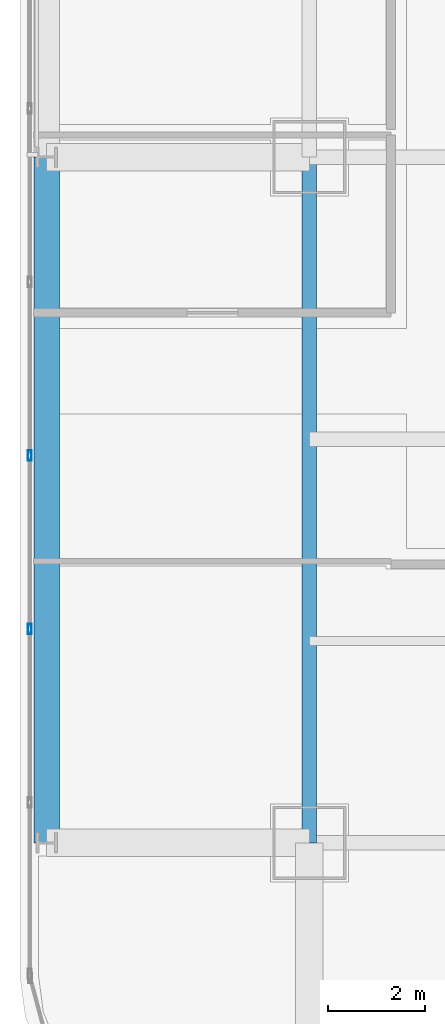
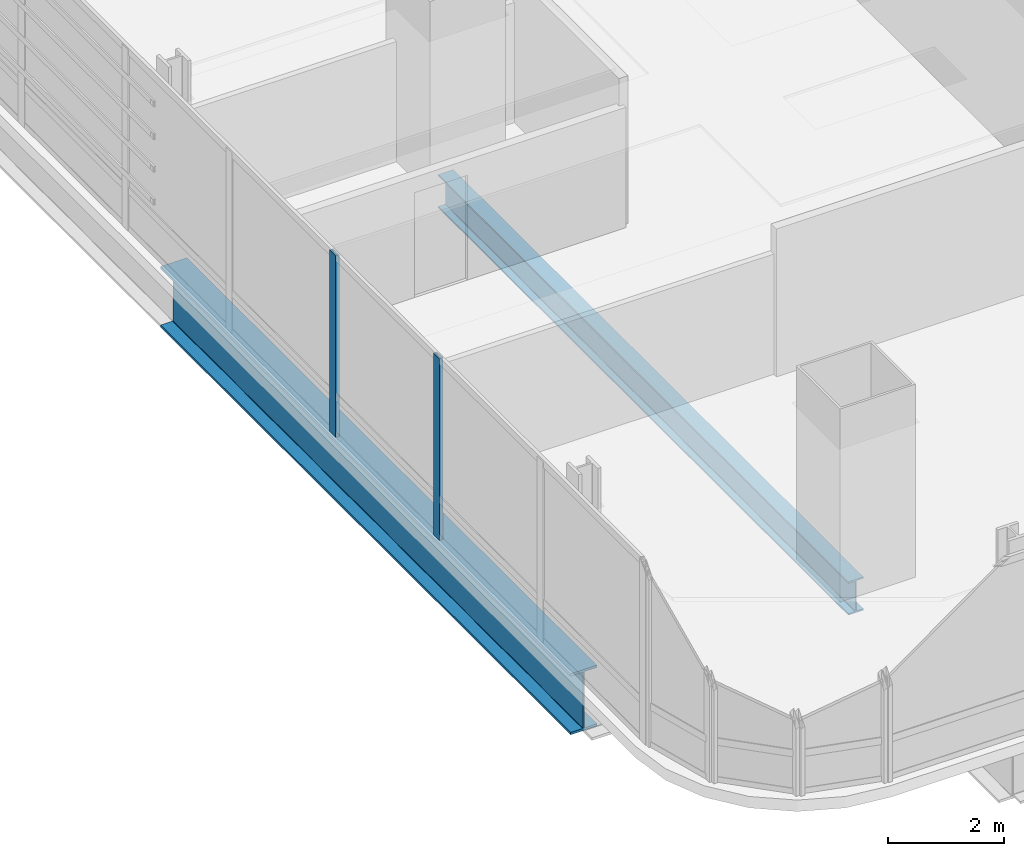
# One storey, part 4 of 36: 2 beams, 2 members, 1 element without a shape of its own.
"""IFC4 building model written with IfcOpenShell, lengths in metres."""

import ifcopenshell
import ifcopenshell.guid

model = None  # the IFC model being written
_history = None  # IfcOwnerHistory: only IFC2X3 demands one
_inside = {}  # id of a spatial element -> (the spatial element, [elements in it])
_under = {}  # id of a project, library or spatial element -> (it, [spatial elements below it])
_declared = {}  # id of a project -> (the project, [libraries it declares])
_typed = {}  # id of a type object -> (the type object, [elements of that type])
_made_of = {}  # id of a material, layer set ... -> (it, [elements and type objects made of it])


def new_model(schema):
    """Start an empty IFC model of exactly this schema.

    Asked for "IFC4X3", IfcOpenShell would pick the latest addendum, in which some entities
    have other attributes; the version numbers below select the first issue.
    IFC2X3 requires an IfcOwnerHistory on every rooted entity: one is made here for all.
    """
    global model, _history
    if schema == "IFC4X3":
        model = ifcopenshell.file(schema_version=(4, 3, 0, 0))
    else:
        model = ifcopenshell.file(schema=schema)
    _inside.clear()
    _under.clear()
    _declared.clear()
    _typed.clear()
    _made_of.clear()
    _history = None
    if model.schema == "IFC2X3":
        org = make("IfcOrganization", Name="unknown")
        user = make(
            "IfcPersonAndOrganization",
            ThePerson=make("IfcPerson", FamilyName="unknown"),
            TheOrganization=org,
        )
        app = make(
            "IfcApplication",
            ApplicationDeveloper=org,
            Version="unknown",
            ApplicationFullName="unknown",
            ApplicationIdentifier="unknown",
        )
        _history = make(
            "IfcOwnerHistory",
            OwningUser=user,
            OwningApplication=app,
            ChangeAction="ADDED",
            CreationDate=0,
        )
    return model


def make(cls, **values):
    """One entity of the class cls with the attributes given. An attribute that is None is left unset."""
    return model.create_entity(
        cls, **{name: value for name, value in values.items() if value is not None}
    )


def rooted(cls, **values):
    """An entity with a GlobalId (a new one), such as an element, a storey or a relation."""
    return make(cls, GlobalId=ifcopenshell.guid.new(), OwnerHistory=_history, **values)


def si_unit(unit_type, name, prefix=None):
    """IfcSIUnit, for example si_unit("LENGTHUNIT", "METRE", prefix="MILLI")."""
    return make("IfcSIUnit", UnitType=unit_type, Prefix=prefix, Name=name)


def assignment(units):
    """IfcUnitAssignment: the units of a project."""
    return None if units is None else make("IfcUnitAssignment", Units=units)


def point(xyz):
    """IfcCartesianPoint."""
    return None if xyz is None else make("IfcCartesianPoint", Coordinates=xyz)


def direction(xyz):
    """IfcDirection."""
    return None if xyz is None else make("IfcDirection", DirectionRatios=xyz)


def frame(location, z_axis=None, x_axis=None):
    """IfcAxis2Placement3D, a coordinate frame: its origin and axes. An axis left out is left unset."""
    return make(
        "IfcAxis2Placement3D",
        Location=point(location),
        Axis=direction(z_axis),
        RefDirection=direction(x_axis),
    )


def frame_2d(location, x_axis=None):
    """IfcAxis2Placement2D, a coordinate frame in the plane: its origin and x axis."""
    return make(
        "IfcAxis2Placement2D", Location=point(location), RefDirection=direction(x_axis)
    )


def origin():
    """The frame at (0, 0, 0) with its axes left unset."""
    return frame((0.0, 0.0, 0.0))


def origin_2d():
    """The frame at (0, 0) in the plane with its x axis left unset."""
    return frame_2d((0.0, 0.0))


def place(relative_to, where):
    """IfcLocalPlacement: puts the frame where relative to a parent placement (None: the world)."""
    return make(
        "IfcLocalPlacement", PlacementRelTo=relative_to, RelativePlacement=where
    )


def context(
    kind, dimensions, precision=None, world=None, true_north=None, identifier=None
):
    """IfcGeometricRepresentationContext, for example the 3D "Model" context."""
    return make(
        "IfcGeometricRepresentationContext",
        ContextIdentifier=identifier,
        ContextType=kind,
        CoordinateSpaceDimension=dimensions,
        Precision=precision,
        WorldCoordinateSystem=world,
        TrueNorth=true_north,
    )


def subcontext(parent, identifier, kind, view, scale=None):
    """IfcGeometricRepresentationSubContext, for example "Body" below "Model"."""
    return make(
        "IfcGeometricRepresentationSubContext",
        ContextIdentifier=identifier,
        ContextType=kind,
        ParentContext=parent,
        TargetScale=scale,
        TargetView=view,
    )


def project(units=None, contexts=None):
    """IfcProject with its units and contexts."""
    return rooted(
        "IfcProject",
        Name="project",
        RepresentationContexts=contexts,
        UnitsInContext=assignment(units),
    )


def spatial(cls, under=None, at=None, **own):
    """A site, building, storey or space (cls), placed at a placement, below another one or the project."""
    s = rooted(cls, ObjectPlacement=at, **own)
    if under is not None:
        _under.setdefault(under.id(), (under, []))[1].append(s)
    return s


def profile(cls, at=None, kind="AREA", **sizes):
    """A parametric profile (cls). Its sizes go by their IFC names, for example OverallWidth=200.0."""
    return make(cls, ProfileType=kind, Position=at, **sizes)


def hollow_rectangle(**sizes):
    """IfcRectangleHollowProfileDef."""
    return profile("IfcRectangleHollowProfileDef", **sizes)


def i_section(**sizes):
    """IfcIShapeProfileDef."""
    return profile("IfcIShapeProfileDef", **sizes)


def extrude(swept, where, along, depth):
    """IfcExtrudedAreaSolid: the profile swept, set in the frame where, extruded along a direction by depth."""
    return make(
        "IfcExtrudedAreaSolid",
        SweptArea=swept,
        Position=where,
        ExtrudedDirection=direction(along),
        Depth=depth,
    )


def shape(context_of_items, identifier, shape_type, items):
    """IfcShapeRepresentation: the items that make up one representation, for example the "Body"."""
    return make(
        "IfcShapeRepresentation",
        ContextOfItems=context_of_items,
        RepresentationIdentifier=identifier,
        RepresentationType=shape_type,
        Items=items,
    )


def material(Name=None, Category=None):
    """IfcMaterial."""
    return make("IfcMaterial", Name=Name, Category=Category)


def material_profile(
    of_material, cross_section, Name=None, Category=None, Priority=None
):
    """IfcMaterialProfile: a cross section and its material."""
    return make(
        "IfcMaterialProfile",
        Name=Name,
        Material=of_material,
        Profile=cross_section,
        Priority=Priority,
        Category=Category,
    )


def profile_set(profiles, Name=None, composite=None):
    """IfcMaterialProfileSet."""
    return make(
        "IfcMaterialProfileSet",
        Name=Name,
        MaterialProfiles=profiles,
        CompositeProfile=composite,
    )


def made_of(thing, what):
    """Note that an element or type object is made of a material, layer set ...; save() writes the relation."""
    if what is not None:
        _made_of.setdefault(what.id(), (what, []))[1].append(thing)
    return thing


def type_object(cls, material=None, **own):
    """A type object (cls), such as IfcWallType, which elements share."""
    return made_of(rooted(cls, **own), material)


def element(
    cls,
    number,
    at=None,
    inside=None,
    cuts=None,
    type_object=None,
    material=None,
    context=None,
    identifier="Body",
    shape_type=None,
    held_by="IfcProductDefinitionShape",
    body=None,
    shapes=None,
    **own,
):
    """One element of the class cls, such as IfcWall. Its Tag is "e" and its number.

    at: its placement. inside: the storey or other place that contains it. cuts: it is an
    opening in that element (IfcRelVoidsElement). A single representation is given by context,
    identifier, shape_type and body (its items); several are given by shapes. held_by: the class
    of the entity that holds the representations. save() writes the other relations.
    """
    e = rooted(cls, Tag="e%d" % number, ObjectPlacement=at, **own)
    if body is not None:
        shapes = [shape(context, identifier, shape_type, body)]
    if shapes is not None:
        e.Representation = make(held_by, Representations=shapes)
    if inside is not None:
        _inside.setdefault(inside.id(), (inside, []))[1].append(e)
    if cuts is not None:
        rooted(
            "IfcRelVoidsElement", RelatingBuildingElement=cuts, RelatedOpeningElement=e
        )
    if type_object is not None:
        _typed.setdefault(type_object.id(), (type_object, []))[1].append(e)
    return made_of(e, material)


def aggregate(whole, parts):
    """IfcRelAggregates: a whole, such as a stair, and the parts it consists of."""
    return rooted("IfcRelAggregates", RelatingObject=whole, RelatedObjects=parts)


def save(model, path):
    """Write the relations noted so far, then the file.

    IfcRelAggregates (storeys below a building ...), IfcRelContainedInSpatialStructure (elements
    in a storey), IfcRelDefinesByType, IfcRelAssociatesMaterial and IfcRelDeclares: one each for
    every whole, place, type object, material and project.
    """
    for whole, parts in _under.values():
        aggregate(whole, parts)
    for where, things in _inside.values():
        rooted(
            "IfcRelContainedInSpatialStructure",
            RelatedElements=things,
            RelatingStructure=where,
        )
    for kind, things in _typed.values():
        rooted("IfcRelDefinesByType", RelatedObjects=things, RelatingType=kind)
    for what, things in _made_of.values():
        rooted("IfcRelAssociatesMaterial", RelatedObjects=things, RelatingMaterial=what)
    for by, libraries in _declared.values():
        rooted("IfcRelDeclares", RelatingContext=by, RelatedDefinitions=libraries)
    model.write(path)


model = new_model("IFC4")

# Units and contexts
model_context = context("Model", 3, precision=1e-05, world=origin(), true_north=direction((0.0, 1.0)))
body_context = subcontext(model_context, "Body", "Model", "MODEL_VIEW")
ifc_project = project(units=[si_unit("LENGTHUNIT", "METRE"), si_unit("AREAUNIT", "SQUARE_METRE"), si_unit("VOLUMEUNIT", "CUBIC_METRE"), si_unit("PLANEANGLEUNIT", "RADIAN"), si_unit("MASSUNIT", "GRAM", prefix="KILO")], contexts=[model_context])

# Site, building, storey
site_placement = place(None, origin())
site = spatial("IfcSite", under=ifc_project, at=site_placement, CompositionType="ELEMENT")
building_placement = place(site_placement, origin())
building = spatial("IfcBuilding", under=site, at=building_placement, Name="Punatoya Terracotta Tower", CompositionType="ELEMENT")
storey_placement = place(building_placement, frame((0.0, 0.0, 32.25)))
storey = spatial("IfcBuildingStorey", under=building, at=storey_placement, Name="L06", CompositionType="ELEMENT", Elevation=32.25)

# Beams
ifc_material_1 = material(Name="Steel S355", Category="steel")
ifc_material_profile_1 = material_profile(ifc_material_1, i_section(OverallWidth=0.300048828125, OverallDepth=0.699951171875, WebThickness=0.01708984375, FlangeThickness=0.031982421875, FilletRadius=0.01806640625, at=origin_2d()))
ifc_profile_set_1 = profile_set([ifc_material_profile_1], Name="Steel S355")
beam_type_1 = type_object("IfcBeamType", Name="BM-PRI-700", PredefinedType="BEAM", material=ifc_profile_set_1)
beam_1_placement = place(storey_placement, frame((-19.10009765625, -17.5, -0.590087890625), z_axis=(0.0, 1.0, 0.0), x_axis=(-1.0, 0.0, 0.0)))
element("IfcBeam", 1, at=beam_1_placement, inside=storey, type_object=beam_type_1, Name="BM-L06-RG-W1", PredefinedType="BEAM", context=body_context, shape_type="SweptSolid", body=[
    extrude(i_section(OverallWidth=0.300048828125, OverallDepth=0.699951171875, WebThickness=0.01708984375, FlangeThickness=0.031982421875, FilletRadius=0.01806640625, at=origin_2d()), origin(), (0.0, 0.0, 1.0), 14.10009765625),
])
ifc_material_2 = material(Name="Steel S460", Category="steel")
ifc_material_profile_2 = material_profile(ifc_material_2, i_section(OverallWidth=0.52001953125, OverallDepth=1.280029296875, WebThickness=0.031982421875, FlangeThickness=0.050048828125, FilletRadius=0.01806640625, at=origin_2d()))
ifc_profile_set_2 = profile_set([ifc_material_profile_2], Name="Steel S460")
beam_type_2 = type_object("IfcBeamType", Name="BM-TG-NCK", PredefinedType="BEAM", material=ifc_profile_set_2)
beam_2_placement = place(storey_placement, frame((-24.5, -17.5, -0.8798828125), z_axis=(0.0, 1.0, 0.0), x_axis=(-1.0, 0.0, 0.0)))
element("IfcBeam", 2, at=beam_2_placement, inside=storey, type_object=beam_type_2, Name="BM-L06-PER-W1", PredefinedType="BEAM", context=body_context, shape_type="SweptSolid", body=[
    extrude(i_section(OverallWidth=0.52001953125, OverallDepth=1.280029296875, WebThickness=0.031982421875, FlangeThickness=0.050048828125, FilletRadius=0.01806640625, at=origin_2d()), origin(), (0.0, 0.0, 1.0), 14.10009765625),
])

# Curtain wall, members
ifc_material_3 = material(Name="Aluminium 6063-T6 + Double Low-E Glass", Category="aluminium")
curtain_wall_type = type_object("IfcCurtainWallType", Name="CW-M1", PredefinedType="NOTDEFINED", material=ifc_material_3)
curtain_wall_placement = place(storey_placement, origin())
curtain_wall = element("IfcCurtainWall", 3, at=curtain_wall_placement, inside=storey, type_object=curtain_wall_type, Name="L06 Curtain Wall CW-L06-W13-1", PredefinedType="NOTDEFINED")
ifc_material_4 = material(Name="Aluminium 6063-T6", Category="aluminium")
ifc_material_profile_3 = material_profile(ifc_material_4, hollow_rectangle(XDim=0.074951171875, YDim=0.2099609375, WallThickness=0.00439453125, at=origin_2d()))
ifc_profile_set_3 = profile_set([ifc_material_profile_3], Name="Aluminium 6063-T6")
member_type = type_object("IfcMemberType", Name="CW-MUL-M1", PredefinedType="MULLION", material=ifc_profile_set_3)
member_1_placement = place(storey_placement, frame((-24.85009765625, -9.534912109375, 0.0), z_axis=(0.0, 0.0, 1.0), x_axis=(1.0, 0.0, 0.0)))
member_1 = element("IfcMember", 4, at=member_1_placement, type_object=member_type, Name="CW-L06-W13-1 Mullion 07", PredefinedType="MULLION", context=body_context, shape_type="SweptSolid", body=[
    extrude(hollow_rectangle(XDim=0.074951171875, YDim=0.2099609375, WallThickness=0.00439453125, at=origin_2d()), origin(), (0.0, 0.0, 1.0), 3.81005859375),
])
member_2_placement = place(storey_placement, frame((-24.85009765625, -13.10205078125, 0.0), z_axis=(0.0, 0.0, 1.0), x_axis=(1.0, 0.0, 0.0)))
member_2 = element("IfcMember", 5, at=member_2_placement, type_object=member_type, Name="CW-L06-W13-1 Mullion 08", PredefinedType="MULLION", context=body_context, shape_type="SweptSolid", body=[
    extrude(hollow_rectangle(XDim=0.074951171875, YDim=0.2099609375, WallThickness=0.00439453125, at=origin_2d()), origin(), (0.0, 0.0, 1.0), 3.81005859375),
])
aggregate(curtain_wall, [member_1, member_2])

save(model, "model.ifc")
